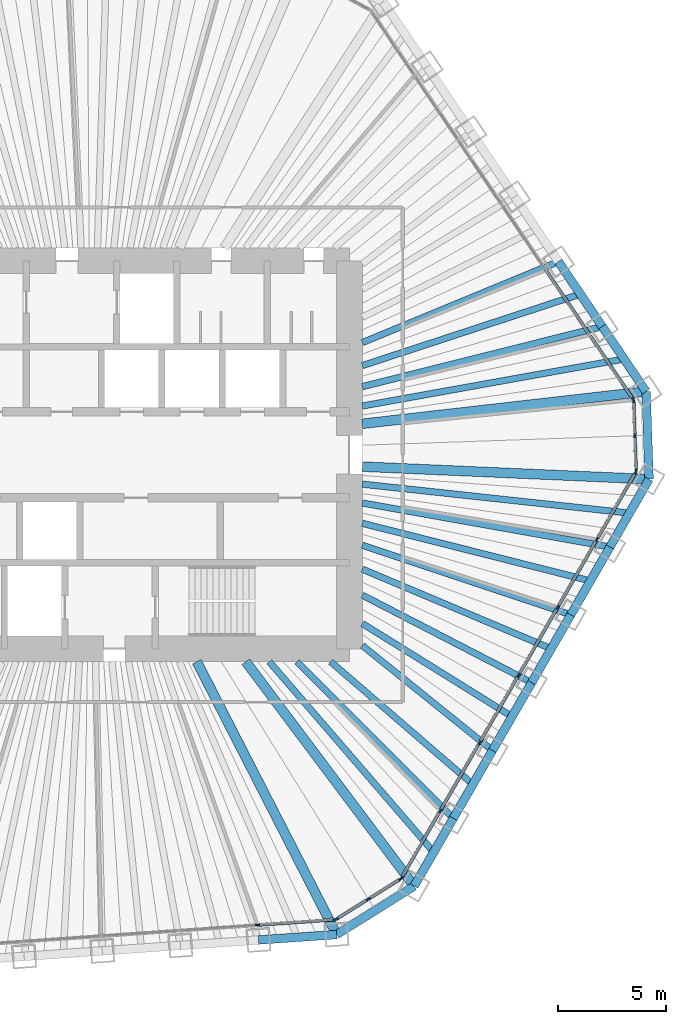
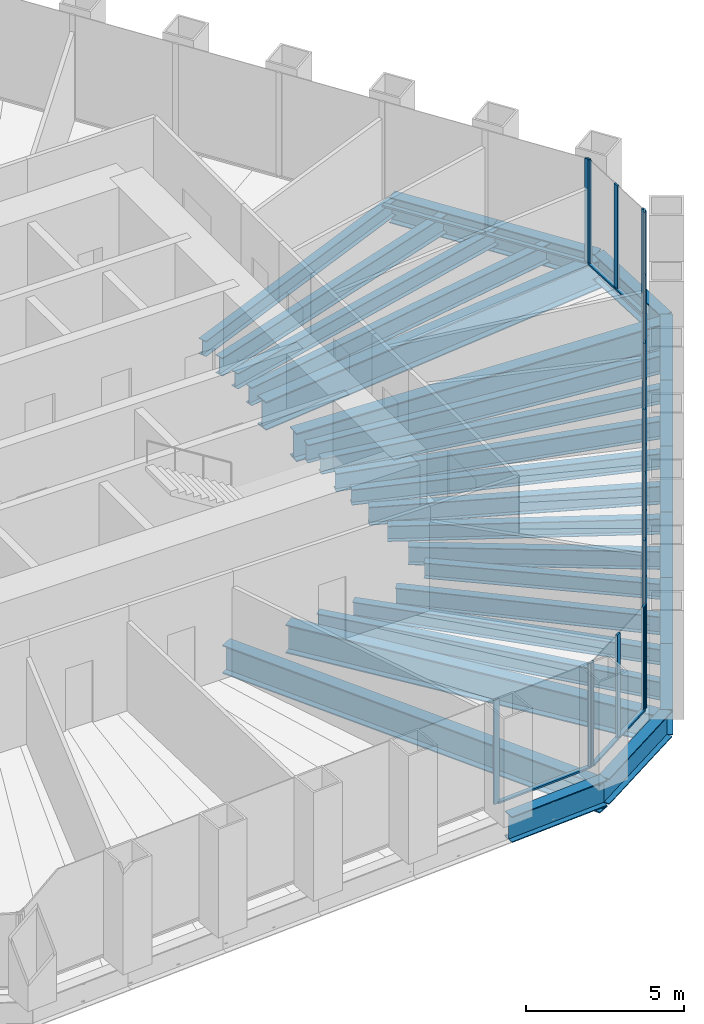
# One storey, part 4 of 13: 30 beams, 29 members, 5 elements without a shape of their own.
"""IFC4 building model written with IfcOpenShell, lengths in metres."""

from ifc_helpers import new_model, si_unit, direction, frame, origin, origin_2d, place, context, subcontext, project, spatial, rectangle, i_section, extrude, material, material_profile, profile_set, type_object, element, aggregate, save


model = new_model("IFC4")

# Units and contexts
model_context = context("Model", 3, precision=1e-05, world=origin(), true_north=direction((0.0, 1.0)))
body_context = subcontext(model_context, "Body", "Model", "MODEL_VIEW")
ifc_project = project(units=[si_unit("LENGTHUNIT", "METRE"), si_unit("AREAUNIT", "SQUARE_METRE"), si_unit("VOLUMEUNIT", "CUBIC_METRE"), si_unit("PLANEANGLEUNIT", "RADIAN"), si_unit("MASSUNIT", "GRAM", prefix="KILO")], contexts=[model_context])

# Site, building, storey
site_placement = place(None, origin())
site = spatial("IfcSite", under=ifc_project, at=site_placement, CompositionType="ELEMENT")
building_placement = place(site_placement, origin())
building = spatial("IfcBuilding", under=site, at=building_placement, Name="Qingtian Harvest Tower", CompositionType="ELEMENT")
storey_placement = place(building_placement, frame((0.0, 0.0, 214.0)))
storey = spatial("IfcBuildingStorey", under=building, at=storey_placement, Name="L46", CompositionType="ELEMENT", Elevation=214.0)

# Beams
ifc_material_1 = material(Name="Steel SM570MC", Category="steel")
ifc_material_profile_1 = material_profile(ifc_material_1, i_section(OverallWidth=0.449951171875, OverallDepth=1.10009765625, WebThickness=0.02197265625, FlangeThickness=0.044921875, at=origin_2d()), Name="H1100x450x22x45")
ifc_profile_set_1 = profile_set([ifc_material_profile_1], Name="Steel SM570MC")
beam_type_1 = type_object("IfcBeamType", Name="Corner floor beam FB8 H1100x450x22x45", PredefinedType="BEAM", material=ifc_profile_set_1)
beam_1_placement = place(storey_placement, frame((25.762451171875, 2.936279296875, -0.719970703125), z_axis=(-0.993566901619, -0.113246686522, 0.0), x_axis=(0.113246686522, -0.993566901619, 0.0)))
element("IfcBeam", 1, at=beam_1_placement, inside=storey, type_object=beam_type_1, Name="Floor beam FB8 NE6", PredefinedType="BEAM", context=body_context, shape_type="SweptSolid", body=[
    extrude(i_section(OverallWidth=0.449951171875, OverallDepth=1.10009765625, WebThickness=0.02197265625, FlangeThickness=0.044921875, at=origin_2d()), origin(), (0.0, 0.0, 1.0), 13.24755859375),
])
beam_2_placement = place(storey_placement, frame((25.904541015625, -1.1318359375, -0.719970703125), z_axis=(-0.999046865424, 0.043650437408, 0.0), x_axis=(-0.043650437408, -0.999046865424, 0.0)))
element("IfcBeam", 2, at=beam_2_placement, inside=storey, type_object=beam_type_1, Name="Floor beam FB8 SE0", PredefinedType="BEAM", context=body_context, shape_type="SweptSolid", body=[
    extrude(i_section(OverallWidth=0.449951171875, OverallDepth=1.10009765625, WebThickness=0.02197265625, FlangeThickness=0.044921875, at=origin_2d()), origin(), (0.0, 0.0, 1.0), 13.317138671875),
])
beam_3_placement = place(storey_placement, frame((15.00390625, -20.012451171875, -0.719970703125), z_axis=(-0.599858913609, 0.800105795357, 0.0), x_axis=(-0.800105795357, -0.599858913609, 0.0)))
element("IfcBeam", 3, at=beam_3_placement, inside=storey, type_object=beam_type_1, Name="Floor beam FB8 SE6", PredefinedType="BEAM", context=body_context, shape_type="SweptSolid", body=[
    extrude(i_section(OverallWidth=0.449951171875, OverallDepth=1.10009765625, WebThickness=0.02197265625, FlangeThickness=0.044921875, at=origin_2d()), origin(), (0.0, 0.0, 1.0), 13.013671875),
])
beam_4_placement = place(storey_placement, frame((11.40966796875, -22.25830078125, -0.719970703125), z_axis=(-0.456157396608, 0.889899111989, 0.0), x_axis=(-0.889899111989, -0.456157396608, 0.0)))
element("IfcBeam", 4, at=beam_4_placement, inside=storey, type_object=beam_type_1, Name="Floor beam FB8 S0", PredefinedType="BEAM", context=body_context, shape_type="SweptSolid", body=[
    extrude(i_section(OverallWidth=0.449951171875, OverallDepth=1.10009765625, WebThickness=0.02197265625, FlangeThickness=0.044921875, at=origin_2d()), origin(), (0.0, 0.0, 1.0), 14.224365234375),
])
ifc_material_2 = material(Name="Steel SN490B", Category="steel")
ifc_material_profile_2 = material_profile(ifc_material_2, i_section(OverallWidth=0.300048828125, OverallDepth=0.60009765625, WebThickness=0.011962890625, FlangeThickness=0.02001953125, at=origin_2d()), Name="H600x300x12x20")
ifc_profile_set_2 = profile_set([ifc_material_profile_2], Name="Steel SN490B")
beam_type_2 = type_object("IfcBeamType", Name="Floor beam FB3 H600x300x12x20", PredefinedType="BEAM", material=ifc_profile_set_2)
beam_5_placement = place(storey_placement, frame((21.69873046875, 8.9609375, -0.469970703125), z_axis=(-0.924281590361, -0.381711332973, 0.0), x_axis=(0.381711332973, -0.924281590361, 0.0)))
element("IfcBeam", 5, at=beam_5_placement, inside=storey, type_object=beam_type_2, Name="Floor beam FB3 NE4", PredefinedType="BEAM", context=body_context, shape_type="SweptSolid", body=[
    extrude(i_section(OverallWidth=0.300048828125, OverallDepth=0.60009765625, WebThickness=0.011962890625, FlangeThickness=0.02001953125, at=origin_2d()), origin(), (0.0, 0.0, 1.0), 9.843994140625),
])
beam_6_placement = place(storey_placement, frame((23.730712890625, 5.948486328125, -0.469970703125), z_axis=(-0.969990876487, -0.243141315972, 0.0), x_axis=(0.243141315972, -0.969990876487, 0.0)))
element("IfcBeam", 6, at=beam_6_placement, inside=storey, type_object=beam_type_2, Name="Floor beam FB3 NE5", PredefinedType="BEAM", context=body_context, shape_type="SweptSolid", body=[
    extrude(i_section(OverallWidth=0.300048828125, OverallDepth=0.60009765625, WebThickness=0.011962890625, FlangeThickness=0.02001953125, at=origin_2d()), origin(), (0.0, 0.0, 1.0), 11.474853515625),
])
beam_7_placement = place(storey_placement, frame((24.087890625, -4.27880859375, -0.469970703125), z_axis=(-0.98458469654, 0.174908477034, 0.0), x_axis=(-0.174908477034, -0.98458469654, 0.0)))
element("IfcBeam", 7, at=beam_7_placement, inside=storey, type_object=beam_type_2, Name="Floor beam FB3 SE1", PredefinedType="BEAM", context=body_context, shape_type="SweptSolid", body=[
    extrude(i_section(OverallWidth=0.300048828125, OverallDepth=0.60009765625, WebThickness=0.011962890625, FlangeThickness=0.02001953125, at=origin_2d()), origin(), (0.0, 0.0, 1.0), 11.667724609375),
])
beam_8_placement = place(storey_placement, frame((22.27099609375, -7.425537109375, -0.469970703125), z_axis=(-0.948654555734, 0.316313979908, 0.0), x_axis=(-0.316313979908, -0.948654555734, 0.0)))
element("IfcBeam", 8, at=beam_8_placement, inside=storey, type_object=beam_type_2, Name="Floor beam FB3 SE2", PredefinedType="BEAM", context=body_context, shape_type="SweptSolid", body=[
    extrude(i_section(OverallWidth=0.300048828125, OverallDepth=0.60009765625, WebThickness=0.011962890625, FlangeThickness=0.02001953125, at=origin_2d()), origin(), (0.0, 0.0, 1.0), 10.1943359375),
])
beam_9_placement = place(storey_placement, frame((20.454345703125, -10.572265625, -0.469970703125), z_axis=(-0.888343501027, 0.459179511938, 0.0), x_axis=(-0.459179511938, -0.888343501027, 0.0)))
element("IfcBeam", 9, at=beam_9_placement, inside=storey, type_object=beam_type_2, Name="Floor beam FB3 SE3", PredefinedType="BEAM", context=body_context, shape_type="SweptSolid", body=[
    extrude(i_section(OverallWidth=0.300048828125, OverallDepth=0.60009765625, WebThickness=0.011962890625, FlangeThickness=0.02001953125, at=origin_2d()), origin(), (0.0, 0.0, 1.0), 8.841552734375),
])
beam_10_placement = place(storey_placement, frame((18.637451171875, -13.718994140625, -0.469970703125), z_axis=(-0.77840907003, 0.62775737327, 0.0), x_axis=(-0.62775737327, -0.77840907003, 0.0)))
element("IfcBeam", 10, at=beam_10_placement, inside=storey, type_object=beam_type_2, Name="Floor beam FB3 SE4", PredefinedType="BEAM", context=body_context, shape_type="SweptSolid", body=[
    extrude(i_section(OverallWidth=0.300048828125, OverallDepth=0.60009765625, WebThickness=0.011962890625, FlangeThickness=0.02001953125, at=origin_2d()), origin(), (0.0, 0.0, 1.0), 7.756103515625),
])
beam_11_placement = place(storey_placement, frame((16.82080078125, -16.86572265625, -0.469970703125), z_axis=(-0.70616637797, 0.708045935392, 0.0), x_axis=(-0.708045935392, -0.70616637797, 0.0)))
element("IfcBeam", 11, at=beam_11_placement, inside=storey, type_object=beam_type_2, Name="Floor beam FB3 SE5", PredefinedType="BEAM", context=body_context, shape_type="SweptSolid", body=[
    extrude(i_section(OverallWidth=0.300048828125, OverallDepth=0.60009765625, WebThickness=0.011962890625, FlangeThickness=0.02001953125, at=origin_2d()), origin(), (0.0, 0.0, 1.0), 10.261474609375),
])
ifc_material_3 = material(Name="Steel SN490B", Category="steel")
ifc_material_profile_3 = material_profile(ifc_material_3, i_section(OverallWidth=0.300048828125, OverallDepth=0.699951171875, WebThickness=0.012939453125, FlangeThickness=0.02392578125, at=origin_2d()), Name="H700x300x13x24")
ifc_profile_set_3 = profile_set([ifc_material_profile_3], Name="Steel SN490B")
beam_type_3 = type_object("IfcBeamType", Name="Floor joist J2 H700x300x13x24", PredefinedType="JOIST", material=ifc_profile_set_3)
beam_12_placement = place(storey_placement, frame((22.71484375, 7.454833984375, -0.52001953125), z_axis=(-0.950138567513, -0.311828001508, 0.0), x_axis=(0.311828001508, -0.950138567513, 0.0)))
element("IfcBeam", 12, at=beam_12_placement, inside=storey, type_object=beam_type_3, Name="Floor joist J2 NE4", PredefinedType="JOIST", context=body_context, shape_type="SweptSolid", body=[
    extrude(i_section(OverallWidth=0.300048828125, OverallDepth=0.699951171875, WebThickness=0.012939453125, FlangeThickness=0.02392578125, at=origin_2d()), origin(), (0.0, 0.0, 1.0), 10.6455078125),
])
beam_13_placement = place(storey_placement, frame((24.74658203125, 4.4423828125, -0.52001953125), z_axis=(-0.98426723745, -0.176686177393, 0.0), x_axis=(0.176686177393, -0.98426723745, 0.0)))
element("IfcBeam", 13, at=beam_13_placement, inside=storey, type_object=beam_type_3, Name="Floor joist J2 NE5", PredefinedType="JOIST", context=body_context, shape_type="SweptSolid", body=[
    extrude(i_section(OverallWidth=0.300048828125, OverallDepth=0.699951171875, WebThickness=0.012939453125, FlangeThickness=0.02392578125, at=origin_2d()), origin(), (0.0, 0.0, 1.0), 12.340576171875),
])
beam_14_placement = place(storey_placement, frame((24.99609375, -2.705322265625, -0.52001953125), z_axis=(-0.994194656298, 0.107596400448, 0.0), x_axis=(-0.107596400448, -0.994194656298, 0.0)))
element("IfcBeam", 14, at=beam_14_placement, inside=storey, type_object=beam_type_3, Name="Floor joist J2 SE0", PredefinedType="JOIST", context=body_context, shape_type="SweptSolid", body=[
    extrude(i_section(OverallWidth=0.300048828125, OverallDepth=0.699951171875, WebThickness=0.012939453125, FlangeThickness=0.02392578125, at=origin_2d()), origin(), (0.0, 0.0, 1.0), 12.46826171875),
])
beam_15_placement = place(storey_placement, frame((23.179443359375, -5.85205078125, -0.52001953125), z_axis=(-0.969577887027, 0.244783007963, 0.0), x_axis=(-0.244783007963, -0.969577887027, 0.0)))
element("IfcBeam", 15, at=beam_15_placement, inside=storey, type_object=beam_type_3, Name="Floor joist J2 SE1", PredefinedType="JOIST", context=body_context, shape_type="SweptSolid", body=[
    extrude(i_section(OverallWidth=0.300048828125, OverallDepth=0.699951171875, WebThickness=0.012939453125, FlangeThickness=0.02392578125, at=origin_2d()), origin(), (0.0, 0.0, 1.0), 10.911376953125),
])
beam_16_placement = place(storey_placement, frame((21.362548828125, -8.998779296875, -0.52001953125), z_axis=(-0.921571079516, 0.388209666803, 0.0), x_axis=(-0.388209666803, -0.921571079516, 0.0)))
element("IfcBeam", 16, at=beam_16_placement, inside=storey, type_object=beam_type_3, Name="Floor joist J2 SE2", PredefinedType="JOIST", context=body_context, shape_type="SweptSolid", body=[
    extrude(i_section(OverallWidth=0.300048828125, OverallDepth=0.699951171875, WebThickness=0.012939453125, FlangeThickness=0.02392578125, at=origin_2d()), origin(), (0.0, 0.0, 1.0), 9.508056640625),
])
beam_17_placement = place(storey_placement, frame((19.5458984375, -12.1455078125, -0.52001953125), z_axis=(-0.849380822906, 0.527780463526, 0.0), x_axis=(-0.527780463526, -0.849380822906, 0.0)))
element("IfcBeam", 17, at=beam_17_placement, inside=storey, type_object=beam_type_3, Name="Floor joist J2 SE3", PredefinedType="JOIST", context=body_context, shape_type="SweptSolid", body=[
    extrude(i_section(OverallWidth=0.300048828125, OverallDepth=0.699951171875, WebThickness=0.012939453125, FlangeThickness=0.02392578125, at=origin_2d()), origin(), (0.0, 0.0, 1.0), 8.177490234375),
])
beam_18_placement = place(storey_placement, frame((17.72900390625, -15.292236328125, -0.52001953125), z_axis=(-0.757237954988, 0.653139096613, 0.0), x_axis=(-0.653139096613, -0.757237954988, 0.0)))
element("IfcBeam", 18, at=beam_18_placement, inside=storey, type_object=beam_type_3, Name="Floor joist J2 SE4", PredefinedType="JOIST", context=body_context, shape_type="SweptSolid", body=[
    extrude(i_section(OverallWidth=0.300048828125, OverallDepth=0.699951171875, WebThickness=0.012939453125, FlangeThickness=0.02392578125, at=origin_2d()), origin(), (0.0, 0.0, 1.0), 8.715087890625),
])
beam_19_placement = place(storey_placement, frame((15.912353515625, -18.43896484375, -0.52001953125), z_axis=(-0.653343257086, 0.757061812813, 0.0), x_axis=(-0.757061812813, -0.653343257086, 0.0)))
element("IfcBeam", 19, at=beam_19_placement, inside=storey, type_object=beam_type_3, Name="Floor joist J2 SE5", PredefinedType="JOIST", context=body_context, shape_type="SweptSolid", body=[
    extrude(i_section(OverallWidth=0.300048828125, OverallDepth=0.699951171875, WebThickness=0.012939453125, FlangeThickness=0.02392578125, at=origin_2d()), origin(), (0.0, 0.0, 1.0), 11.67529296875),
])

# Curtain wall, member
ifc_material_4 = material(Name="Bronze-anodised aluminium curtain wall", Category="aluminium")
curtain_wall_type = type_object("IfcCurtainWallType", Name="Curtain wall CW4 office", PredefinedType="USERDEFINED", material=ifc_material_4)
curtain_wall_1_placement = place(storey_placement, origin())
curtain_wall_1 = element("IfcCurtainWall", 20, at=curtain_wall_1_placement, inside=storey, type_object=curtain_wall_type, Name="Curtain wall CW4 L46 NE0-5", ObjectType="RECESSED CURTAIN WALL", PredefinedType="USERDEFINED")
ifc_material_5 = material(Name="Bronze-anodised aluminium mullion", Category="aluminium")
ifc_material_profile_4 = material_profile(ifc_material_5, rectangle(XDim=0.06494140625, YDim=0.199951171875, at=origin_2d()), Name="AL 65x200")
ifc_profile_set_4 = profile_set([ifc_material_profile_4], Name="Bronze-anodised aluminium mullion")
member_type_1 = type_object("IfcMemberType", Name="Mullion CWM 65x200", PredefinedType="MULLION", material=ifc_profile_set_4)
member_1_placement = place(storey_placement, frame((25.1640625, 2.57177734375, 0.0), z_axis=(0.0, 0.0, 1.0), x_axis=(0.829037572555, 0.559192903471, 0.0)))
member_1 = element("IfcMember", 21, at=member_1_placement, type_object=member_type_1, Name="CW4 mullion 7", PredefinedType="MULLION", context=body_context, shape_type="SweptSolid", body=[
    extrude(rectangle(XDim=0.06494140625, YDim=0.199951171875, at=origin_2d()), origin(), (0.0, 0.0, 1.0), 4.030029296875),
])

# Curtain wall, members
curtain_wall_2_placement = place(storey_placement, origin())
curtain_wall_2 = element("IfcCurtainWall", 22, at=curtain_wall_2_placement, inside=storey, type_object=curtain_wall_type, Name="Curtain wall CW4 L46 NEC", ObjectType="RECESSED CURTAIN WALL", PredefinedType="USERDEFINED")
member_2_placement = place(storey_placement, frame((25.183349609375, 2.51220703125, 0.0), z_axis=(0.0, 0.0, 1.0), x_axis=(0.999390827019, 0.034899496703, 0.0)))
member_2 = element("IfcMember", 23, at=member_2_placement, type_object=member_type_1, Name="CW4 mullion 1", PredefinedType="MULLION", context=body_context, shape_type="SweptSolid", body=[
    extrude(rectangle(XDim=0.06494140625, YDim=0.199951171875, at=origin_2d()), origin(), (0.0, 0.0, 1.0), 4.030029296875),
])
member_3_placement = place(storey_placement, frame((25.240234375, 0.88134765625, 0.0), z_axis=(0.0, 0.0, 1.0), x_axis=(0.999390827019, 0.034899496703, 0.0)))
member_3 = element("IfcMember", 24, at=member_3_placement, type_object=member_type_1, Name="CW4 mullion 2", PredefinedType="MULLION", context=body_context, shape_type="SweptSolid", body=[
    extrude(rectangle(XDim=0.06494140625, YDim=0.199951171875, at=origin_2d()), origin(), (0.0, 0.0, 1.0), 4.030029296875),
])
member_4_placement = place(storey_placement, frame((25.297119140625, -0.74951171875, 0.0), z_axis=(0.0, 0.0, 1.0), x_axis=(0.999390827019, 0.034899496703, 0.0)))
member_4 = element("IfcMember", 25, at=member_4_placement, type_object=member_type_1, Name="CW4 mullion 3", PredefinedType="MULLION", context=body_context, shape_type="SweptSolid", body=[
    extrude(rectangle(XDim=0.06494140625, YDim=0.199951171875, at=origin_2d()), origin(), (0.0, 0.0, 1.0), 4.030029296875),
])

curtain_wall_3_placement = place(storey_placement, origin())
curtain_wall_3 = element("IfcCurtainWall", 26, at=curtain_wall_3_placement, inside=storey, type_object=curtain_wall_type, Name="Curtain wall CW4 L46 SE0-5", ObjectType="RECESSED CURTAIN WALL", PredefinedType="USERDEFINED")
member_5_placement = place(storey_placement, frame((25.2822265625, -0.81005859375, 0.0), z_axis=(0.0, 0.0, 1.0), x_axis=(0.866025403784, -0.5, 0.0)))
member_5 = element("IfcMember", 27, at=member_5_placement, type_object=member_type_1, Name="CW4 mullion 1", PredefinedType="MULLION", context=body_context, shape_type="SweptSolid", body=[
    extrude(rectangle(XDim=0.06494140625, YDim=0.199951171875, at=origin_2d()), origin(), (0.0, 0.0, 1.0), 4.030029296875),
])
member_6_placement = place(storey_placement, frame((23.481689453125, -3.9287109375, 0.0), z_axis=(0.0, 0.0, 1.0), x_axis=(0.866025403784, -0.5, 0.0)))
member_6 = element("IfcMember", 28, at=member_6_placement, type_object=member_type_1, Name="CW4 mullion 2", PredefinedType="MULLION", context=body_context, shape_type="SweptSolid", body=[
    extrude(rectangle(XDim=0.06494140625, YDim=0.199951171875, at=origin_2d()), origin(), (0.0, 0.0, 1.0), 4.030029296875),
])
member_7_placement = place(storey_placement, frame((21.664794921875, -7.075439453125, 0.0), z_axis=(0.0, 0.0, 1.0), x_axis=(0.866025403784, -0.5, 0.0)))
member_7 = element("IfcMember", 29, at=member_7_placement, type_object=member_type_1, Name="CW4 mullion 3", PredefinedType="MULLION", context=body_context, shape_type="SweptSolid", body=[
    extrude(rectangle(XDim=0.06494140625, YDim=0.199951171875, at=origin_2d()), origin(), (0.0, 0.0, 1.0), 4.030029296875),
])
member_8_placement = place(storey_placement, frame((19.84814453125, -10.22216796875, 0.0), z_axis=(0.0, 0.0, 1.0), x_axis=(0.866025403784, -0.5, 0.0)))
member_8 = element("IfcMember", 30, at=member_8_placement, type_object=member_type_1, Name="CW4 mullion 4", PredefinedType="MULLION", context=body_context, shape_type="SweptSolid", body=[
    extrude(rectangle(XDim=0.06494140625, YDim=0.199951171875, at=origin_2d()), origin(), (0.0, 0.0, 1.0), 4.030029296875),
])
member_9_placement = place(storey_placement, frame((18.03125, -13.368896484375, 0.0), z_axis=(0.0, 0.0, 1.0), x_axis=(0.866025403784, -0.5, 0.0)))
member_9 = element("IfcMember", 31, at=member_9_placement, type_object=member_type_1, Name="CW4 mullion 5", PredefinedType="MULLION", context=body_context, shape_type="SweptSolid", body=[
    extrude(rectangle(XDim=0.06494140625, YDim=0.199951171875, at=origin_2d()), origin(), (0.0, 0.0, 1.0), 4.030029296875),
])
member_10_placement = place(storey_placement, frame((16.214599609375, -16.515625, 0.0), z_axis=(0.0, 0.0, 1.0), x_axis=(0.866025403784, -0.5, 0.0)))
member_10 = element("IfcMember", 32, at=member_10_placement, type_object=member_type_1, Name="CW4 mullion 6", PredefinedType="MULLION", context=body_context, shape_type="SweptSolid", body=[
    extrude(rectangle(XDim=0.06494140625, YDim=0.199951171875, at=origin_2d()), origin(), (0.0, 0.0, 1.0), 4.030029296875),
])
member_11_placement = place(storey_placement, frame((14.4140625, -19.63427734375, 0.0), z_axis=(0.0, 0.0, 1.0), x_axis=(0.866025403784, -0.5, 0.0)))
member_11 = element("IfcMember", 33, at=member_11_placement, type_object=member_type_1, Name="CW4 mullion 7", PredefinedType="MULLION", context=body_context, shape_type="SweptSolid", body=[
    extrude(rectangle(XDim=0.06494140625, YDim=0.199951171875, at=origin_2d()), origin(), (0.0, 0.0, 1.0), 4.030029296875),
])

curtain_wall_4_placement = place(storey_placement, origin())
curtain_wall_4 = element("IfcCurtainWall", 34, at=curtain_wall_4_placement, inside=storey, type_object=curtain_wall_type, Name="Curtain wall CW4 L46 SEC", ObjectType="RECESSED CURTAIN WALL", PredefinedType="USERDEFINED")
member_12_placement = place(storey_placement, frame((14.3701171875, -19.6796875, 0.0), z_axis=(0.0, 0.0, 1.0), x_axis=(0.529919264233, -0.848048096156, 0.0)))
member_12 = element("IfcMember", 35, at=member_12_placement, type_object=member_type_1, Name="CW4 mullion 1", PredefinedType="MULLION", context=body_context, shape_type="SweptSolid", body=[
    extrude(rectangle(XDim=0.06494140625, YDim=0.199951171875, at=origin_2d()), origin(), (0.0, 0.0, 1.0), 4.030029296875),
])
member_13_placement = place(storey_placement, frame((12.87939453125, -20.611328125, 0.0), z_axis=(0.0, 0.0, 1.0), x_axis=(0.529919264233, -0.848048096156, 0.0)))
member_13 = element("IfcMember", 36, at=member_13_placement, type_object=member_type_1, Name="CW4 mullion 2", PredefinedType="MULLION", context=body_context, shape_type="SweptSolid", body=[
    extrude(rectangle(XDim=0.06494140625, YDim=0.199951171875, at=origin_2d()), origin(), (0.0, 0.0, 1.0), 4.030029296875),
])
member_14_placement = place(storey_placement, frame((11.388427734375, -21.542724609375, 0.0), z_axis=(0.0, 0.0, 1.0), x_axis=(0.529919264233, -0.848048096156, 0.0)))
member_14 = element("IfcMember", 37, at=member_14_placement, type_object=member_type_1, Name="CW4 mullion 3", PredefinedType="MULLION", context=body_context, shape_type="SweptSolid", body=[
    extrude(rectangle(XDim=0.06494140625, YDim=0.199951171875, at=origin_2d()), origin(), (0.0, 0.0, 1.0), 4.030029296875),
])

curtain_wall_5_placement = place(storey_placement, origin())
curtain_wall_5 = element("IfcCurtainWall", 38, at=curtain_wall_5_placement, inside=storey, type_object=curtain_wall_type, Name="Curtain wall CW4 L46 S0-5", ObjectType="RECESSED CURTAIN WALL", PredefinedType="USERDEFINED")
member_15_placement = place(storey_placement, frame((11.32861328125, -21.562255859375, 0.0), z_axis=(0.0, 0.0, 1.0), x_axis=(0.069756473744, -0.99756405026, 0.0)))
member_15 = element("IfcMember", 39, at=member_15_placement, type_object=member_type_1, Name="CW4 mullion 1", PredefinedType="MULLION", context=body_context, shape_type="SweptSolid", body=[
    extrude(rectangle(XDim=0.06494140625, YDim=0.199951171875, at=origin_2d()), origin(), (0.0, 0.0, 1.0), 4.030029296875),
])
member_16_placement = place(storey_placement, frame((7.736328125, -21.8134765625, 0.0), z_axis=(0.0, 0.0, 1.0), x_axis=(0.069756473744, -0.99756405026, 0.0)))
member_16 = element("IfcMember", 40, at=member_16_placement, type_object=member_type_1, Name="CW4 mullion 2", PredefinedType="MULLION", context=body_context, shape_type="SweptSolid", body=[
    extrude(rectangle(XDim=0.06494140625, YDim=0.199951171875, at=origin_2d()), origin(), (0.0, 0.0, 1.0), 4.030029296875),
])

# Beams
ifc_material_6 = material(Name="Steel SN490B", Category="steel")
ifc_material_profile_5 = material_profile(ifc_material_6, i_section(OverallWidth=0.39990234375, OverallDepth=1.0, WebThickness=0.01904296875, FlangeThickness=0.035888671875, at=origin_2d()), Name="H1000x400x19x36")
ifc_profile_set_5 = profile_set([ifc_material_profile_5], Name="Steel SN490B")
beam_type_4 = type_object("IfcBeamType", Name="Spandrel beam SB3 H1000x400x19x36", PredefinedType="SPANDREL", material=ifc_profile_set_5)
beam_20_placement = place(storey_placement, frame((21.69873046875, 8.9609375, -0.5), z_axis=(0.55920395902, -0.829030115385, 0.0), x_axis=(0.829030115385, 0.55920395902, 0.0)))
element("IfcBeam", 41, at=beam_20_placement, inside=storey, type_object=beam_type_4, Name="Spandrel SB3 NE4", PredefinedType="SPANDREL", context=body_context, shape_type="SweptSolid", body=[
    extrude(i_section(OverallWidth=0.39990234375, OverallDepth=1.0, WebThickness=0.01904296875, FlangeThickness=0.035888671875, at=origin_2d()), origin(), (0.0, 0.0, 1.0), 3.6337890625),
])
beam_21_placement = place(storey_placement, frame((23.730712890625, 5.948486328125, -0.5), z_axis=(0.559188928021, -0.829040254016, 0.0), x_axis=(0.829040254016, 0.559188928021, 0.0)))
element("IfcBeam", 42, at=beam_21_placement, inside=storey, type_object=beam_type_4, Name="Spandrel SB3 NE5", PredefinedType="SPANDREL", context=body_context, shape_type="SweptSolid", body=[
    extrude(i_section(OverallWidth=0.39990234375, OverallDepth=1.0, WebThickness=0.01904296875, FlangeThickness=0.035888671875, at=origin_2d()), origin(), (0.0, 0.0, 1.0), 3.63330078125),
])
beam_22_placement = place(storey_placement, frame((25.762451171875, 2.936279296875, -0.5), z_axis=(0.03490639867, -0.999390585973, 0.0), x_axis=(0.999390585973, 0.03490639867, 0.0)))
element("IfcBeam", 43, at=beam_22_placement, inside=storey, type_object=beam_type_4, Name="Spandrel SB3 NEC", PredefinedType="SPANDREL", context=body_context, shape_type="SweptSolid", body=[
    extrude(i_section(OverallWidth=0.39990234375, OverallDepth=1.0, WebThickness=0.01904296875, FlangeThickness=0.035888671875, at=origin_2d()), origin(), (0.0, 0.0, 1.0), 4.070556640625),
])
beam_23_placement = place(storey_placement, frame((25.904541015625, -1.1318359375, -0.5), z_axis=(-0.499947341849, -0.866055803848, 0.0), x_axis=(0.866055803848, -0.499947341849, 0.0)))
element("IfcBeam", 44, at=beam_23_placement, inside=storey, type_object=beam_type_4, Name="Spandrel SB3 SE0", PredefinedType="SPANDREL", context=body_context, shape_type="SweptSolid", body=[
    extrude(i_section(OverallWidth=0.39990234375, OverallDepth=1.0, WebThickness=0.01904296875, FlangeThickness=0.035888671875, at=origin_2d()), origin(), (0.0, 0.0, 1.0), 3.6337890625),
])
for number, where, z_axis, x_axis, name in (
    (45, (24.087890625, -4.27880859375, -0.5), (-0.500026827678, -0.866009914263, 0.0), (0.866009914263, -0.500026827678, 0.0), "Spandrel SB3 SE1"),
    (46, (22.27099609375, -7.425537109375, -0.5), (-0.499976434558, -0.866039008871, 0.0), (0.866039008871, -0.499976434558, 0.0), "Spandrel SB3 SE2"),
    (47, (20.454345703125, -10.572265625, -0.5), (-0.500026827678, -0.866009914263, 0.0), (0.866009914263, -0.500026827678, 0.0), "Spandrel SB3 SE3"),
    (48, (18.637451171875, -13.718994140625, -0.5), (-0.499976434558, -0.866039008871, 0.0), (0.866039008871, -0.499976434558, 0.0), "Spandrel SB3 SE4"),
    (49, (16.82080078125, -16.86572265625, -0.5), (-0.500026827678, -0.866009914263, 0.0), (0.866009914263, -0.500026827678, 0.0), "Spandrel SB3 SE5"),
):
    element("IfcBeam", number, at=place(storey_placement, frame(where, z_axis=z_axis, x_axis=x_axis)), inside=storey, type_object=beam_type_4, Name=name, PredefinedType="SPANDREL", context=body_context, shape_type="SweptSolid", body=[
        extrude(i_section(OverallWidth=0.39990234375, OverallDepth=1.0, WebThickness=0.01904296875, FlangeThickness=0.035888671875, at=origin_2d()), origin(), (0.0, 0.0, 1.0), 3.633544921875),
    ])
beam_24_placement = place(storey_placement, frame((15.00390625, -20.012451171875, -0.5), z_axis=(-0.848056550838, -0.529905733675, 0.0), x_axis=(0.529905733675, -0.848056550838, 0.0)))
element("IfcBeam", 50, at=beam_24_placement, inside=storey, type_object=beam_type_4, Name="Spandrel SB3 SEC", PredefinedType="SPANDREL", context=body_context, shape_type="SweptSolid", body=[
    extrude(i_section(OverallWidth=0.39990234375, OverallDepth=1.0, WebThickness=0.01904296875, FlangeThickness=0.035888671875, at=origin_2d()), origin(), (0.0, 0.0, 1.0), 4.23828125),
])
beam_25_placement = place(storey_placement, frame((11.40966796875, -22.25830078125, -0.5), z_axis=(-0.997564674207, -0.069747550305, 0.0), x_axis=(0.069747550305, -0.997564674207, 0.0)))
element("IfcBeam", 51, at=beam_25_placement, inside=storey, type_object=beam_type_4, Name="Spandrel SB3 S0", PredefinedType="SPANDREL", context=body_context, shape_type="SweptSolid", body=[
    extrude(i_section(OverallWidth=0.39990234375, OverallDepth=1.0, WebThickness=0.01904296875, FlangeThickness=0.035888671875, at=origin_2d()), origin(), (0.0, 0.0, 1.0), 3.63330078125),
])

# Member
ifc_material_7 = material(Name="Bronze-anodised aluminium transom", Category="aluminium")
ifc_material_profile_6 = material_profile(ifc_material_7, rectangle(XDim=0.14990234375, YDim=0.06494140625, at=origin_2d()), Name="AL 65x150")
ifc_profile_set_6 = profile_set([ifc_material_profile_6], Name="Bronze-anodised aluminium transom")
member_type_2 = type_object("IfcMemberType", Name="Transom CWT 65x150", PredefinedType="USERDEFINED", material=ifc_profile_set_6)
member_17_placement = place(storey_placement, frame((21.13671875, 8.54248046875, 0.032470703125), z_axis=(0.559160259871, -0.829059590006, 0.0), x_axis=(0.829059590006, 0.559160259871, 0.0)))
member_17 = element("IfcMember", 52, at=member_17_placement, type_object=member_type_2, Name="CW4 transom 5.1", ObjectType="TRANSOM", PredefinedType="USERDEFINED", context=body_context, shape_type="SweptSolid", body=[
    extrude(rectangle(XDim=0.14990234375, YDim=0.06494140625, at=origin_2d()), origin(), (0.0, 0.0, 1.0), 3.568603515625),
])

member_18_placement = place(storey_placement, frame((23.16845703125, 5.5302734375, 0.032470703125), z_axis=(0.559169259008, -0.829053520456, 0.0), x_axis=(0.829053520456, 0.559169259008, 0.0)))
member_18 = element("IfcMember", 53, at=member_18_placement, type_object=member_type_2, Name="CW4 transom 6.1", ObjectType="TRANSOM", PredefinedType="USERDEFINED", context=body_context, shape_type="SweptSolid", body=[
    extrude(rectangle(XDim=0.14990234375, YDim=0.06494140625, at=origin_2d()), origin(), (0.0, 0.0, 1.0), 3.5361328125),
])

aggregate(curtain_wall_1, [member_1, member_17, member_18])

member_19_placement = place(storey_placement, frame((25.1845703125, 2.479736328125, 0.032470703125), z_axis=(0.034902326647, -0.999390728191, 0.0), x_axis=(0.999390728191, 0.034902326647, 0.0)))
member_19 = element("IfcMember", 54, at=member_19_placement, type_object=member_type_2, Name="CW4 transom 1.1", ObjectType="TRANSOM", PredefinedType="USERDEFINED", context=body_context, shape_type="SweptSolid", body=[
    extrude(rectangle(XDim=0.14990234375, YDim=0.06494140625, at=origin_2d()), origin(), (0.0, 0.0, 1.0), 1.56689453125),
])

member_20_placement = place(storey_placement, frame((25.241455078125, 0.848876953125, 0.032470703125), z_axis=(0.034902326647, -0.999390728191, 0.0), x_axis=(0.999390728191, 0.034902326647, 0.0)))
member_20 = element("IfcMember", 55, at=member_20_placement, type_object=member_type_2, Name="CW4 transom 2.1", ObjectType="TRANSOM", PredefinedType="USERDEFINED", context=body_context, shape_type="SweptSolid", body=[
    extrude(rectangle(XDim=0.14990234375, YDim=0.06494140625, at=origin_2d()), origin(), (0.0, 0.0, 1.0), 1.56689453125),
])

aggregate(curtain_wall_2, [member_2, member_3, member_4, member_19, member_20])

member_21_placement = place(storey_placement, frame((25.265869140625, -0.838134765625, 0.032470703125), z_axis=(-0.499985409597, -0.866033827394, 0.0), x_axis=(0.866033827394, -0.499985409597, 0.0)))
member_21 = element("IfcMember", 56, at=member_21_placement, type_object=member_type_2, Name="CW4 transom 1.1", ObjectType="TRANSOM", PredefinedType="USERDEFINED", context=body_context, shape_type="SweptSolid", body=[
    extrude(rectangle(XDim=0.14990234375, YDim=0.06494140625, at=origin_2d()), origin(), (0.0, 0.0, 1.0), 3.5361328125),
])

member_22_placement = place(storey_placement, frame((23.46533203125, -3.956787109375, 0.032470703125), z_axis=(-0.499965259726, -0.866045460162, 0.0), x_axis=(0.866045460162, -0.499965259726, 0.0)))
member_22 = element("IfcMember", 57, at=member_22_placement, type_object=member_type_2, Name="CW4 transom 2.1", ObjectType="TRANSOM", PredefinedType="USERDEFINED", context=body_context, shape_type="SweptSolid", body=[
    extrude(rectangle(XDim=0.14990234375, YDim=0.06494140625, at=origin_2d()), origin(), (0.0, 0.0, 1.0), 3.568603515625),
])

member_23_placement = place(storey_placement, frame((21.648681640625, -7.103515625, 0.032470703125), z_axis=(-0.500016569533, -0.866015837149, 0.0), x_axis=(0.866015837149, -0.500016569533, 0.0)))
member_23 = element("IfcMember", 58, at=member_23_placement, type_object=member_type_2, Name="CW4 transom 3.1", ObjectType="TRANSOM", PredefinedType="USERDEFINED", context=body_context, shape_type="SweptSolid", body=[
    extrude(rectangle(XDim=0.14990234375, YDim=0.06494140625, at=origin_2d()), origin(), (0.0, 0.0, 1.0), 3.56884765625),
])

member_24_placement = place(storey_placement, frame((19.831787109375, -10.250244140625, 0.032470703125), z_axis=(-0.499965259726, -0.866045460162, 0.0), x_axis=(0.866045460162, -0.499965259726, 0.0)))
member_24 = element("IfcMember", 59, at=member_24_placement, type_object=member_type_2, Name="CW4 transom 4.1", ObjectType="TRANSOM", PredefinedType="USERDEFINED", context=body_context, shape_type="SweptSolid", body=[
    extrude(rectangle(XDim=0.14990234375, YDim=0.06494140625, at=origin_2d()), origin(), (0.0, 0.0, 1.0), 3.568603515625),
])

member_25_placement = place(storey_placement, frame((18.014892578125, -13.39697265625, 0.032470703125), z_axis=(-0.499965259726, -0.866045460162, 0.0), x_axis=(0.866045460162, -0.499965259726, 0.0)))
member_25 = element("IfcMember", 60, at=member_25_placement, type_object=member_type_2, Name="CW4 transom 5.1", ObjectType="TRANSOM", PredefinedType="USERDEFINED", context=body_context, shape_type="SweptSolid", body=[
    extrude(rectangle(XDim=0.14990234375, YDim=0.06494140625, at=origin_2d()), origin(), (0.0, 0.0, 1.0), 3.568603515625),
])

member_26_placement = place(storey_placement, frame((16.1982421875, -16.5439453125, 0.032470703125), z_axis=(-0.500015305566, -0.866016566931, 0.0), x_axis=(0.866016566931, -0.500015305566, 0.0)))
member_26 = element("IfcMember", 61, at=member_26_placement, type_object=member_type_2, Name="CW4 transom 6.1", ObjectType="TRANSOM", PredefinedType="USERDEFINED", context=body_context, shape_type="SweptSolid", body=[
    extrude(rectangle(XDim=0.14990234375, YDim=0.06494140625, at=origin_2d()), origin(), (0.0, 0.0, 1.0), 3.5361328125),
])

aggregate(curtain_wall_3, [member_5, member_6, member_7, member_8, member_9, member_10, member_11, member_21, member_22, member_23, member_24, member_25, member_26])

member_27_placement = place(storey_placement, frame((14.342529296875, -19.69677734375, 0.032470703125), z_axis=(-0.847998304005, -0.529998940003, 0.0), x_axis=(0.529998940003, -0.847998304005, 0.0)))
member_27 = element("IfcMember", 62, at=member_27_placement, type_object=member_type_2, Name="CW4 transom 1.1", ObjectType="TRANSOM", PredefinedType="USERDEFINED", context=body_context, shape_type="SweptSolid", body=[
    extrude(rectangle(XDim=0.14990234375, YDim=0.06494140625, at=origin_2d()), origin(), (0.0, 0.0, 1.0), 1.69287109375),
])

member_28_placement = place(storey_placement, frame((12.851806640625, -20.62841796875, 0.032470703125), z_axis=(-0.84803880708, -0.529934129573, 0.0), x_axis=(0.529934129573, -0.84803880708, 0.0)))
member_28 = element("IfcMember", 63, at=member_28_placement, type_object=member_type_2, Name="CW4 transom 2.1", ObjectType="TRANSOM", PredefinedType="USERDEFINED", context=body_context, shape_type="SweptSolid", body=[
    extrude(rectangle(XDim=0.14990234375, YDim=0.06494140625, at=origin_2d()), origin(), (0.0, 0.0, 1.0), 1.693115234375),
])

aggregate(curtain_wall_4, [member_12, member_13, member_14, member_27, member_28])

member_29_placement = place(storey_placement, frame((11.296142578125, -21.564453125, 0.032470703125), z_axis=(-0.997561034679, -0.069799585166, 0.0), x_axis=(0.069799585166, -0.997561034679, 0.0)))
member_29 = element("IfcMember", 64, at=member_29_placement, type_object=member_type_2, Name="CW4 transom 1.1", ObjectType="TRANSOM", PredefinedType="USERDEFINED", context=body_context, shape_type="SweptSolid", body=[
    extrude(rectangle(XDim=0.14990234375, YDim=0.06494140625, at=origin_2d()), origin(), (0.0, 0.0, 1.0), 3.5361328125),
])

aggregate(curtain_wall_5, [member_15, member_16, member_29])

save(model, "model.ifc")
